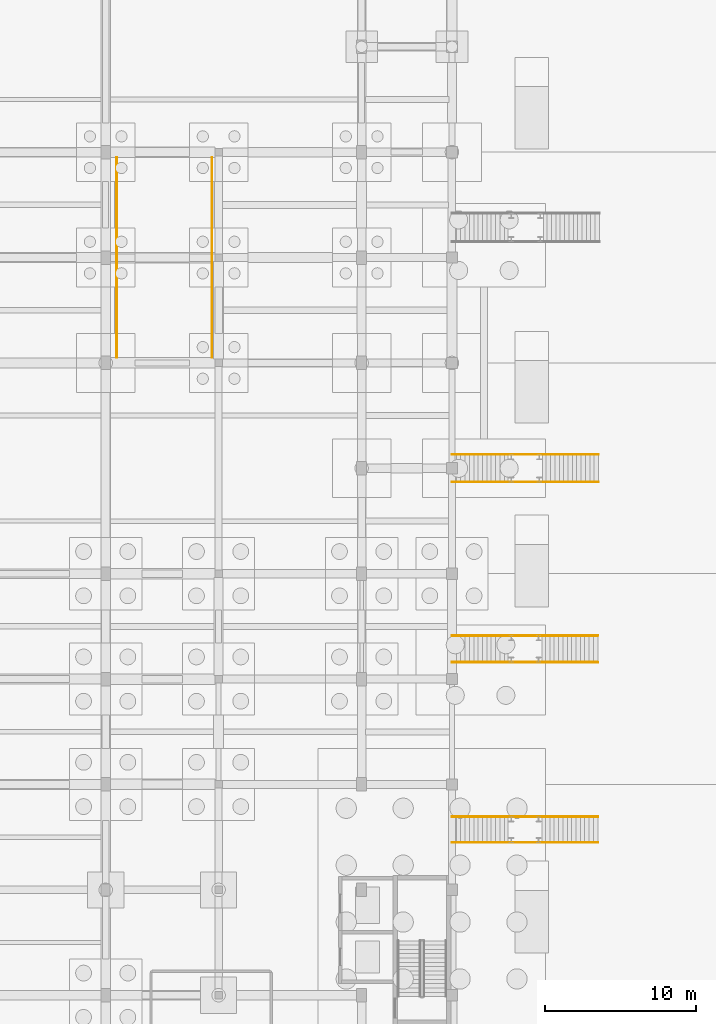
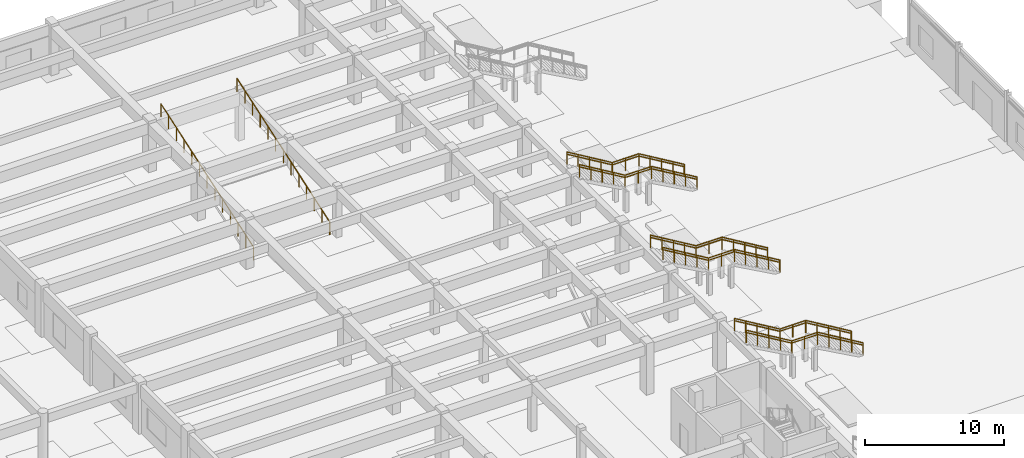
# One storey, part 82 of 84: 14 railings.
"""IFC4 building model written with IfcOpenShell, lengths in metres."""

from ifc_helpers import new_model, si_unit, direction, frame, origin, origin_2d, place, context, subcontext, project, spatial, circle, extrude, material, type_object, element, save


model = new_model("IFC4")

# Units and contexts
model_context = context("Model", 3, precision=1e-05, world=origin(), true_north=direction((0.0, 1.0)))
body_context = subcontext(model_context, "Body", "Model", "MODEL_VIEW")
ifc_project = project(units=[si_unit("LENGTHUNIT", "METRE"), si_unit("AREAUNIT", "SQUARE_METRE"), si_unit("VOLUMEUNIT", "CUBIC_METRE"), si_unit("PLANEANGLEUNIT", "RADIAN"), si_unit("MASSUNIT", "GRAM", prefix="KILO")], contexts=[model_context])

# Site, building, storey
site_placement = place(None, origin())
site = spatial("IfcSite", under=ifc_project, at=site_placement, CompositionType="ELEMENT")
building_placement = place(site_placement, origin())
building = spatial("IfcBuilding", under=site, at=building_placement, Name="Larkveld Mobility Hub", CompositionType="ELEMENT")
storey_placement = place(building_placement, origin())
storey = spatial("IfcBuildingStorey", under=building, at=storey_placement, Name="L00", CompositionType="ELEMENT", Elevation=0.0)

# Railings
ifc_material_1 = material(Name="Galvanized Steel S355JR balustrade", Category="steel")
railing_type_1 = type_object("IfcRailingType", Name="RL-GRD-1100", PredefinedType="GUARDRAIL", material=ifc_material_1)
railing_1_placement = place(storey_placement, frame((161.68994140625, 67.85498046875, 0.0)))
element("IfcRailing", 1, at=railing_1_placement, inside=storey, type_object=railing_type_1, Name="Central Bus Hall Straight Stair FS3 Guard L", PredefinedType="GUARDRAIL", context=body_context, shape_type="SweptSolid", body=[
    extrude(circle(Radius=0.02392578125, at=origin_2d()), frame((0.0, 0.0, 1.076171875), z_axis=(-0.858697585051, 0.0, 0.512482641098), x_axis=(0.0, -1.0, 0.0)), (0.0, 0.0, 1.0), 4.390380859375),
    extrude(circle(Radius=0.02392578125, at=origin_2d()), frame((-3.77001953125, 0.0, 3.326171875), z_axis=(-1.0, 0.0, 0.0), x_axis=(0.0, -1.0, 0.0)), (0.0, 0.0, 1.0), 2.14990234375),
    extrude(circle(Radius=0.02392578125, at=origin_2d()), frame((-5.919921875, 0.0, 3.326171875), z_axis=(-0.858697585051, 0.0, 0.512482641098), x_axis=(0.0, -1.0, 0.0)), (0.0, 0.0, 1.0), 4.390380859375),
    extrude(circle(Radius=0.02099609375, at=origin_2d()), origin(), (0.0, 0.0, 1.0), 1.052001953125),
    extrude(circle(Radius=0.02099609375, at=origin_2d()), frame((-0.9423828125, 0.0, 0.5625)), (0.0, 0.0, 1.0), 1.052001953125),
    extrude(circle(Radius=0.02099609375, at=origin_2d()), frame((-1.885009765625, 0.0, 1.125)), (0.0, 0.0, 1.0), 1.052001953125),
    extrude(circle(Radius=0.02099609375, at=origin_2d()), frame((-2.82763671875, 0.0, 1.6875)), (0.0, 0.0, 1.0), 1.052001953125),
    extrude(circle(Radius=0.02099609375, at=origin_2d()), frame((-3.77001953125, 0.0, 2.25)), (0.0, 0.0, 1.0), 1.052001953125),
    extrude(circle(Radius=0.02099609375, at=origin_2d()), frame((-4.844970703125, 0.0, 2.25)), (0.0, 0.0, 1.0), 1.052001953125),
    extrude(circle(Radius=0.02099609375, at=origin_2d()), frame((-5.919921875, 0.0, 2.25)), (0.0, 0.0, 1.0), 1.052001953125),
    extrude(circle(Radius=0.02099609375, at=origin_2d()), frame((-6.8623046875, 0.0, 2.8125)), (0.0, 0.0, 1.0), 1.052001953125),
    extrude(circle(Radius=0.02099609375, at=origin_2d()), frame((-7.804931640625, 0.0, 3.375)), (0.0, 0.0, 1.0), 1.052001953125),
    extrude(circle(Radius=0.02099609375, at=origin_2d()), frame((-8.74755859375, 0.0, 3.9375)), (0.0, 0.0, 1.0), 1.052001953125),
    extrude(circle(Radius=0.02099609375, at=origin_2d()), frame((-9.68994140625, 0.0, 4.5)), (0.0, 0.0, 1.0), 1.052001953125),
])
railing_2_placement = place(storey_placement, frame((161.68994140625, 66.14501953125, 0.0)))
element("IfcRailing", 2, at=railing_2_placement, inside=storey, type_object=railing_type_1, Name="Central Bus Hall Straight Stair FS3 Guard R", PredefinedType="GUARDRAIL", context=body_context, shape_type="SweptSolid", body=[
    extrude(circle(Radius=0.02392578125, at=origin_2d()), frame((0.0, 0.0, 1.076171875), z_axis=(-0.858697585051, 0.0, 0.512482641098), x_axis=(0.0, -1.0, 0.0)), (0.0, 0.0, 1.0), 4.390380859375),
    extrude(circle(Radius=0.02392578125, at=origin_2d()), frame((-3.77001953125, 0.0, 3.326171875), z_axis=(-1.0, 0.0, 0.0), x_axis=(0.0, -1.0, 0.0)), (0.0, 0.0, 1.0), 2.14990234375),
    extrude(circle(Radius=0.02392578125, at=origin_2d()), frame((-5.919921875, 0.0, 3.326171875), z_axis=(-0.858697585051, 0.0, 0.512482641098), x_axis=(0.0, -1.0, 0.0)), (0.0, 0.0, 1.0), 4.390380859375),
    extrude(circle(Radius=0.02099609375, at=origin_2d()), origin(), (0.0, 0.0, 1.0), 1.052001953125),
    extrude(circle(Radius=0.02099609375, at=origin_2d()), frame((-0.9423828125, 0.0, 0.5625)), (0.0, 0.0, 1.0), 1.052001953125),
    extrude(circle(Radius=0.02099609375, at=origin_2d()), frame((-1.885009765625, 0.0, 1.125)), (0.0, 0.0, 1.0), 1.052001953125),
    extrude(circle(Radius=0.02099609375, at=origin_2d()), frame((-2.82763671875, 0.0, 1.6875)), (0.0, 0.0, 1.0), 1.052001953125),
    extrude(circle(Radius=0.02099609375, at=origin_2d()), frame((-3.77001953125, 0.0, 2.25)), (0.0, 0.0, 1.0), 1.052001953125),
    extrude(circle(Radius=0.02099609375, at=origin_2d()), frame((-4.844970703125, 0.0, 2.25)), (0.0, 0.0, 1.0), 1.052001953125),
    extrude(circle(Radius=0.02099609375, at=origin_2d()), frame((-5.919921875, 0.0, 2.25)), (0.0, 0.0, 1.0), 1.052001953125),
    extrude(circle(Radius=0.02099609375, at=origin_2d()), frame((-6.8623046875, 0.0, 2.8125)), (0.0, 0.0, 1.0), 1.052001953125),
    extrude(circle(Radius=0.02099609375, at=origin_2d()), frame((-7.804931640625, 0.0, 3.375)), (0.0, 0.0, 1.0), 1.052001953125),
    extrude(circle(Radius=0.02099609375, at=origin_2d()), frame((-8.74755859375, 0.0, 3.9375)), (0.0, 0.0, 1.0), 1.052001953125),
    extrude(circle(Radius=0.02099609375, at=origin_2d()), frame((-9.68994140625, 0.0, 4.5)), (0.0, 0.0, 1.0), 1.052001953125),
])
railing_3_placement = place(storey_placement, frame((161.68994140625, 79.885009765625, 0.0)))
element("IfcRailing", 3, at=railing_3_placement, inside=storey, type_object=railing_type_1, Name="Intermodal Transfer Straight Stair FS4 Guard L", PredefinedType="GUARDRAIL", context=body_context, shape_type="SweptSolid", body=[
    extrude(circle(Radius=0.02392578125, at=origin_2d()), frame((0.0, 0.0, 1.076171875), z_axis=(-0.858697585051, 0.0, 0.512482641098), x_axis=(0.0, -1.0, 0.0)), (0.0, 0.0, 1.0), 4.390380859375),
    extrude(circle(Radius=0.02392578125, at=origin_2d()), frame((-3.77001953125, 0.0, 3.326171875), z_axis=(-1.0, 0.0, 0.0), x_axis=(0.0, -1.0, 0.0)), (0.0, 0.0, 1.0), 2.14990234375),
    extrude(circle(Radius=0.02392578125, at=origin_2d()), frame((-5.919921875, 0.0, 3.326171875), z_axis=(-0.858697585051, 0.0, 0.512482641098), x_axis=(0.0, -1.0, 0.0)), (0.0, 0.0, 1.0), 4.390380859375),
    extrude(circle(Radius=0.02099609375, at=origin_2d()), origin(), (0.0, 0.0, 1.0), 1.052001953125),
    extrude(circle(Radius=0.02099609375, at=origin_2d()), frame((-0.9423828125, 0.0, 0.5625)), (0.0, 0.0, 1.0), 1.052001953125),
    extrude(circle(Radius=0.02099609375, at=origin_2d()), frame((-1.885009765625, 0.0, 1.125)), (0.0, 0.0, 1.0), 1.052001953125),
    extrude(circle(Radius=0.02099609375, at=origin_2d()), frame((-2.82763671875, 0.0, 1.6875)), (0.0, 0.0, 1.0), 1.052001953125),
    extrude(circle(Radius=0.02099609375, at=origin_2d()), frame((-3.77001953125, 0.0, 2.25)), (0.0, 0.0, 1.0), 1.052001953125),
    extrude(circle(Radius=0.02099609375, at=origin_2d()), frame((-4.844970703125, 0.0, 2.25)), (0.0, 0.0, 1.0), 1.052001953125),
    extrude(circle(Radius=0.02099609375, at=origin_2d()), frame((-5.919921875, 0.0, 2.25)), (0.0, 0.0, 1.0), 1.052001953125),
    extrude(circle(Radius=0.02099609375, at=origin_2d()), frame((-6.8623046875, 0.0, 2.8125)), (0.0, 0.0, 1.0), 1.052001953125),
    extrude(circle(Radius=0.02099609375, at=origin_2d()), frame((-7.804931640625, 0.0, 3.375)), (0.0, 0.0, 1.0), 1.052001953125),
    extrude(circle(Radius=0.02099609375, at=origin_2d()), frame((-8.74755859375, 0.0, 3.9375)), (0.0, 0.0, 1.0), 1.052001953125),
    extrude(circle(Radius=0.02099609375, at=origin_2d()), frame((-9.68994140625, 0.0, 4.5)), (0.0, 0.0, 1.0), 1.052001953125),
])
railing_4_placement = place(storey_placement, frame((161.68994140625, 78.114990234375, 0.0)))
element("IfcRailing", 4, at=railing_4_placement, inside=storey, type_object=railing_type_1, Name="Intermodal Transfer Straight Stair FS4 Guard R", PredefinedType="GUARDRAIL", context=body_context, shape_type="SweptSolid", body=[
    extrude(circle(Radius=0.02392578125, at=origin_2d()), frame((0.0, 0.0, 1.076171875), z_axis=(-0.858697585051, 0.0, 0.512482641098), x_axis=(0.0, -1.0, 0.0)), (0.0, 0.0, 1.0), 4.390380859375),
    extrude(circle(Radius=0.02392578125, at=origin_2d()), frame((-3.77001953125, 0.0, 3.326171875), z_axis=(-1.0, 0.0, 0.0), x_axis=(0.0, -1.0, 0.0)), (0.0, 0.0, 1.0), 2.14990234375),
    extrude(circle(Radius=0.02392578125, at=origin_2d()), frame((-5.919921875, 0.0, 3.326171875), z_axis=(-0.858697585051, 0.0, 0.512482641098), x_axis=(0.0, -1.0, 0.0)), (0.0, 0.0, 1.0), 4.390380859375),
    extrude(circle(Radius=0.02099609375, at=origin_2d()), origin(), (0.0, 0.0, 1.0), 1.052001953125),
    extrude(circle(Radius=0.02099609375, at=origin_2d()), frame((-0.9423828125, 0.0, 0.5625)), (0.0, 0.0, 1.0), 1.052001953125),
    extrude(circle(Radius=0.02099609375, at=origin_2d()), frame((-1.885009765625, 0.0, 1.125)), (0.0, 0.0, 1.0), 1.052001953125),
    extrude(circle(Radius=0.02099609375, at=origin_2d()), frame((-2.82763671875, 0.0, 1.6875)), (0.0, 0.0, 1.0), 1.052001953125),
    extrude(circle(Radius=0.02099609375, at=origin_2d()), frame((-3.77001953125, 0.0, 2.25)), (0.0, 0.0, 1.0), 1.052001953125),
    extrude(circle(Radius=0.02099609375, at=origin_2d()), frame((-4.844970703125, 0.0, 2.25)), (0.0, 0.0, 1.0), 1.052001953125),
    extrude(circle(Radius=0.02099609375, at=origin_2d()), frame((-5.919921875, 0.0, 2.25)), (0.0, 0.0, 1.0), 1.052001953125),
    extrude(circle(Radius=0.02099609375, at=origin_2d()), frame((-6.8623046875, 0.0, 2.8125)), (0.0, 0.0, 1.0), 1.052001953125),
    extrude(circle(Radius=0.02099609375, at=origin_2d()), frame((-7.804931640625, 0.0, 3.375)), (0.0, 0.0, 1.0), 1.052001953125),
    extrude(circle(Radius=0.02099609375, at=origin_2d()), frame((-8.74755859375, 0.0, 3.9375)), (0.0, 0.0, 1.0), 1.052001953125),
    extrude(circle(Radius=0.02099609375, at=origin_2d()), frame((-9.68994140625, 0.0, 4.5)), (0.0, 0.0, 1.0), 1.052001953125),
])
railing_5_placement = place(storey_placement, frame((161.739990234375, 91.9150390625, 0.0)))
element("IfcRailing", 5, at=railing_5_placement, inside=storey, type_object=railing_type_1, Name="Taxi Concourse South Straight Stair FS5 Guard L", PredefinedType="GUARDRAIL", context=body_context, shape_type="SweptSolid", body=[
    extrude(circle(Radius=0.02392578125, at=origin_2d()), frame((0.0, 0.0, 1.076171875), z_axis=(-0.858697585051, 0.0, 0.512482641098), x_axis=(0.0, -1.0, 0.0)), (0.0, 0.0, 1.0), 4.390380859375),
    extrude(circle(Radius=0.02392578125, at=origin_2d()), frame((-3.77001953125, 0.0, 3.326171875), z_axis=(-1.0, 0.0, 0.0), x_axis=(0.0, -1.0, 0.0)), (0.0, 0.0, 1.0), 2.199951171875),
    extrude(circle(Radius=0.02392578125, at=origin_2d()), frame((-5.969970703125, 0.0, 3.326171875), z_axis=(-0.858697585051, 0.0, 0.512482641098), x_axis=(0.0, -1.0, 0.0)), (0.0, 0.0, 1.0), 4.390380859375),
    extrude(circle(Radius=0.02099609375, at=origin_2d()), origin(), (0.0, 0.0, 1.0), 1.052001953125),
    extrude(circle(Radius=0.02099609375, at=origin_2d()), frame((-0.9423828125, 0.0, 0.5625)), (0.0, 0.0, 1.0), 1.052001953125),
    extrude(circle(Radius=0.02099609375, at=origin_2d()), frame((-1.885009765625, 0.0, 1.125)), (0.0, 0.0, 1.0), 1.052001953125),
    extrude(circle(Radius=0.02099609375, at=origin_2d()), frame((-2.82763671875, 0.0, 1.6875)), (0.0, 0.0, 1.0), 1.052001953125),
    extrude(circle(Radius=0.02099609375, at=origin_2d()), frame((-3.77001953125, 0.0, 2.25)), (0.0, 0.0, 1.0), 1.052001953125),
    extrude(circle(Radius=0.02099609375, at=origin_2d()), frame((-4.8701171875, 0.0, 2.25)), (0.0, 0.0, 1.0), 1.052001953125),
    extrude(circle(Radius=0.02099609375, at=origin_2d()), frame((-5.969970703125, 0.0, 2.25)), (0.0, 0.0, 1.0), 1.052001953125),
    extrude(circle(Radius=0.02099609375, at=origin_2d()), frame((-6.91259765625, 0.0, 2.8125)), (0.0, 0.0, 1.0), 1.052001953125),
    extrude(circle(Radius=0.02099609375, at=origin_2d()), frame((-7.85498046875, 0.0, 3.375)), (0.0, 0.0, 1.0), 1.052001953125),
    extrude(circle(Radius=0.02099609375, at=origin_2d()), frame((-8.79736328125, 0.0, 3.9375)), (0.0, 0.0, 1.0), 1.052001953125),
    extrude(circle(Radius=0.02099609375, at=origin_2d()), frame((-9.739990234375, 0.0, 4.5)), (0.0, 0.0, 1.0), 1.052001953125),
])
railing_6_placement = place(storey_placement, frame((161.739990234375, 90.0849609375, 0.0)))
element("IfcRailing", 6, at=railing_6_placement, inside=storey, type_object=railing_type_1, Name="Taxi Concourse South Straight Stair FS5 Guard R", PredefinedType="GUARDRAIL", context=body_context, shape_type="SweptSolid", body=[
    extrude(circle(Radius=0.02392578125, at=origin_2d()), frame((0.0, 0.0, 1.076171875), z_axis=(-0.858697585051, 0.0, 0.512482641098), x_axis=(0.0, -1.0, 0.0)), (0.0, 0.0, 1.0), 4.390380859375),
    extrude(circle(Radius=0.02392578125, at=origin_2d()), frame((-3.77001953125, 0.0, 3.326171875), z_axis=(-1.0, 0.0, 0.0), x_axis=(0.0, -1.0, 0.0)), (0.0, 0.0, 1.0), 2.199951171875),
    extrude(circle(Radius=0.02392578125, at=origin_2d()), frame((-5.969970703125, 0.0, 3.326171875), z_axis=(-0.858697585051, 0.0, 0.512482641098), x_axis=(0.0, -1.0, 0.0)), (0.0, 0.0, 1.0), 4.390380859375),
    extrude(circle(Radius=0.02099609375, at=origin_2d()), origin(), (0.0, 0.0, 1.0), 1.052001953125),
    extrude(circle(Radius=0.02099609375, at=origin_2d()), frame((-0.9423828125, 0.0, 0.5625)), (0.0, 0.0, 1.0), 1.052001953125),
    extrude(circle(Radius=0.02099609375, at=origin_2d()), frame((-1.885009765625, 0.0, 1.125)), (0.0, 0.0, 1.0), 1.052001953125),
    extrude(circle(Radius=0.02099609375, at=origin_2d()), frame((-2.82763671875, 0.0, 1.6875)), (0.0, 0.0, 1.0), 1.052001953125),
    extrude(circle(Radius=0.02099609375, at=origin_2d()), frame((-3.77001953125, 0.0, 2.25)), (0.0, 0.0, 1.0), 1.052001953125),
    extrude(circle(Radius=0.02099609375, at=origin_2d()), frame((-4.8701171875, 0.0, 2.25)), (0.0, 0.0, 1.0), 1.052001953125),
    extrude(circle(Radius=0.02099609375, at=origin_2d()), frame((-5.969970703125, 0.0, 2.25)), (0.0, 0.0, 1.0), 1.052001953125),
    extrude(circle(Radius=0.02099609375, at=origin_2d()), frame((-6.91259765625, 0.0, 2.8125)), (0.0, 0.0, 1.0), 1.052001953125),
    extrude(circle(Radius=0.02099609375, at=origin_2d()), frame((-7.85498046875, 0.0, 3.375)), (0.0, 0.0, 1.0), 1.052001953125),
    extrude(circle(Radius=0.02099609375, at=origin_2d()), frame((-8.79736328125, 0.0, 3.9375)), (0.0, 0.0, 1.0), 1.052001953125),
    extrude(circle(Radius=0.02099609375, at=origin_2d()), frame((-9.739990234375, 0.0, 4.5)), (0.0, 0.0, 1.0), 1.052001953125),
])
ifc_material_2 = material(Name="Galvanized Steel S355JR vehicle-deck guard", Category="steel")
railing_type_2 = type_object("IfcRailingType", Name="RL-GRD-RMP", PredefinedType="GUARDRAIL", material=ifc_material_2)
railing_7_placement = place(storey_placement, frame((129.739990234375, 98.35009765625, 0.0)))
element("IfcRailing", 7, at=railing_7_placement, inside=storey, type_object=railing_type_2, Name="EV Ramp West Sloped Guard L00-027", PredefinedType="GUARDRAIL", context=body_context, shape_type="SweptSolid", body=[
    extrude(circle(Radius=0.02392578125, at=origin_2d()), frame((0.0, 0.0, 1.1259765625), z_axis=(0.0, 0.947247809695, 0.320502085841), x_axis=(-1.0, 0.0, 0.0)), (0.0, 0.0, 1.0), 14.04052734375),
    extrude(circle(Radius=0.02099609375, at=origin_2d()), origin(), (0.0, 0.0, 1.0), 1.101806640625),
    extrude(circle(Radius=0.02099609375, at=origin_2d()), frame((0.0, 1.1083984375, 0.375)), (0.0, 0.0, 1.0), 1.101806640625),
    extrude(circle(Radius=0.02099609375, at=origin_2d()), frame((0.0, 2.216552734375, 0.75)), (0.0, 0.0, 1.0), 1.101806640625),
    extrude(circle(Radius=0.02099609375, at=origin_2d()), frame((0.0, 3.324951171875, 1.125)), (0.0, 0.0, 1.0), 1.101806640625),
    extrude(circle(Radius=0.02099609375, at=origin_2d()), frame((0.0, 4.433349609375, 1.5)), (0.0, 0.0, 1.0), 1.101806640625),
    extrude(circle(Radius=0.02099609375, at=origin_2d()), frame((0.0, 5.54150390625, 1.875)), (0.0, 0.0, 1.0), 1.101806640625),
    extrude(circle(Radius=0.02099609375, at=origin_2d()), frame((0.0, 6.64990234375, 2.25)), (0.0, 0.0, 1.0), 1.101806640625),
    extrude(circle(Radius=0.02099609375, at=origin_2d()), frame((0.0, 7.75830078125, 2.625)), (0.0, 0.0, 1.0), 1.101806640625),
    extrude(circle(Radius=0.02099609375, at=origin_2d()), frame((0.0, 8.866455078125, 3.0)), (0.0, 0.0, 1.0), 1.101806640625),
    extrude(circle(Radius=0.02099609375, at=origin_2d()), frame((0.0, 9.974853515625, 3.375)), (0.0, 0.0, 1.0), 1.101806640625),
    extrude(circle(Radius=0.02099609375, at=origin_2d()), frame((0.0, 11.083251953125, 3.75)), (0.0, 0.0, 1.0), 1.101806640625),
    extrude(circle(Radius=0.02099609375, at=origin_2d()), frame((0.0, 12.19140625, 4.125)), (0.0, 0.0, 1.0), 1.101806640625),
    extrude(circle(Radius=0.02099609375, at=origin_2d()), frame((0.0, 13.2998046875, 4.5)), (0.0, 0.0, 1.0), 1.101806640625),
])
railing_8_placement = place(storey_placement, frame((136.06005859375, 98.35009765625, 0.0)))
element("IfcRailing", 8, at=railing_8_placement, inside=storey, type_object=railing_type_2, Name="EV Ramp East Sloped Guard L00-028", PredefinedType="GUARDRAIL", context=body_context, shape_type="SweptSolid", body=[
    extrude(circle(Radius=0.02392578125, at=origin_2d()), frame((0.0, 0.0, 1.1259765625), z_axis=(0.0, 0.947247809695, 0.320502085841), x_axis=(-1.0, 0.0, 0.0)), (0.0, 0.0, 1.0), 14.04052734375),
    extrude(circle(Radius=0.02099609375, at=origin_2d()), origin(), (0.0, 0.0, 1.0), 1.101806640625),
    extrude(circle(Radius=0.02099609375, at=origin_2d()), frame((0.0, 1.1083984375, 0.375)), (0.0, 0.0, 1.0), 1.101806640625),
    extrude(circle(Radius=0.02099609375, at=origin_2d()), frame((0.0, 2.216552734375, 0.75)), (0.0, 0.0, 1.0), 1.101806640625),
    extrude(circle(Radius=0.02099609375, at=origin_2d()), frame((0.0, 3.324951171875, 1.125)), (0.0, 0.0, 1.0), 1.101806640625),
    extrude(circle(Radius=0.02099609375, at=origin_2d()), frame((0.0, 4.433349609375, 1.5)), (0.0, 0.0, 1.0), 1.101806640625),
    extrude(circle(Radius=0.02099609375, at=origin_2d()), frame((0.0, 5.54150390625, 1.875)), (0.0, 0.0, 1.0), 1.101806640625),
    extrude(circle(Radius=0.02099609375, at=origin_2d()), frame((0.0, 6.64990234375, 2.25)), (0.0, 0.0, 1.0), 1.101806640625),
    extrude(circle(Radius=0.02099609375, at=origin_2d()), frame((0.0, 7.75830078125, 2.625)), (0.0, 0.0, 1.0), 1.101806640625),
    extrude(circle(Radius=0.02099609375, at=origin_2d()), frame((0.0, 8.866455078125, 3.0)), (0.0, 0.0, 1.0), 1.101806640625),
    extrude(circle(Radius=0.02099609375, at=origin_2d()), frame((0.0, 9.974853515625, 3.375)), (0.0, 0.0, 1.0), 1.101806640625),
    extrude(circle(Radius=0.02099609375, at=origin_2d()), frame((0.0, 11.083251953125, 3.75)), (0.0, 0.0, 1.0), 1.101806640625),
    extrude(circle(Radius=0.02099609375, at=origin_2d()), frame((0.0, 12.19140625, 4.125)), (0.0, 0.0, 1.0), 1.101806640625),
    extrude(circle(Radius=0.02099609375, at=origin_2d()), frame((0.0, 13.2998046875, 4.5)), (0.0, 0.0, 1.0), 1.101806640625),
])
ifc_material_3 = material(Name="Brushed Steel S355JR tubular handrail", Category="steel")
railing_type_3 = type_object("IfcRailingType", Name="RL-HND-0900", PredefinedType="HANDRAIL", material=ifc_material_3)
railing_9_placement = place(storey_placement, frame((161.68994140625, 67.85498046875, 0.0)))
element("IfcRailing", 9, at=railing_9_placement, inside=storey, type_object=railing_type_3, Name="Central Bus Hall Straight Stair FS3 Handrail L", PredefinedType="HANDRAIL", context=body_context, shape_type="SweptSolid", body=[
    extrude(circle(Radius=0.02392578125, at=origin_2d()), frame((0.0, 0.0, 0.8759765625), z_axis=(-0.858697585051, 0.0, 0.512482641098), x_axis=(0.0, -1.0, 0.0)), (0.0, 0.0, 1.0), 4.390380859375),
    extrude(circle(Radius=0.02392578125, at=origin_2d()), frame((-3.77001953125, 0.0, 3.1259765625), z_axis=(-1.0, 0.0, 0.0), x_axis=(0.0, -1.0, 0.0)), (0.0, 0.0, 1.0), 2.14990234375),
    extrude(circle(Radius=0.02392578125, at=origin_2d()), frame((-5.919921875, 0.0, 3.1259765625), z_axis=(-0.858697585051, 0.0, 0.512482641098), x_axis=(0.0, -1.0, 0.0)), (0.0, 0.0, 1.0), 4.390380859375),
    extrude(circle(Radius=0.02099609375, at=origin_2d()), origin(), (0.0, 0.0, 1.0), 0.851806640625),
    extrude(circle(Radius=0.02099609375, at=origin_2d()), frame((-0.9423828125, 0.0, 0.5625)), (0.0, 0.0, 1.0), 0.851806640625),
    extrude(circle(Radius=0.02099609375, at=origin_2d()), frame((-1.885009765625, 0.0, 1.125)), (0.0, 0.0, 1.0), 0.851806640625),
    extrude(circle(Radius=0.02099609375, at=origin_2d()), frame((-2.82763671875, 0.0, 1.6875)), (0.0, 0.0, 1.0), 0.851806640625),
    extrude(circle(Radius=0.02099609375, at=origin_2d()), frame((-3.77001953125, 0.0, 2.25)), (0.0, 0.0, 1.0), 0.851806640625),
    extrude(circle(Radius=0.02099609375, at=origin_2d()), frame((-4.844970703125, 0.0, 2.25)), (0.0, 0.0, 1.0), 0.851806640625),
    extrude(circle(Radius=0.02099609375, at=origin_2d()), frame((-5.919921875, 0.0, 2.25)), (0.0, 0.0, 1.0), 0.851806640625),
    extrude(circle(Radius=0.02099609375, at=origin_2d()), frame((-6.8623046875, 0.0, 2.8125)), (0.0, 0.0, 1.0), 0.851806640625),
    extrude(circle(Radius=0.02099609375, at=origin_2d()), frame((-7.804931640625, 0.0, 3.375)), (0.0, 0.0, 1.0), 0.851806640625),
    extrude(circle(Radius=0.02099609375, at=origin_2d()), frame((-8.74755859375, 0.0, 3.9375)), (0.0, 0.0, 1.0), 0.851806640625),
    extrude(circle(Radius=0.02099609375, at=origin_2d()), frame((-9.68994140625, 0.0, 4.5)), (0.0, 0.0, 1.0), 0.851806640625),
])
railing_10_placement = place(storey_placement, frame((161.68994140625, 66.14501953125, 0.0)))
element("IfcRailing", 10, at=railing_10_placement, inside=storey, type_object=railing_type_3, Name="Central Bus Hall Straight Stair FS3 Handrail R", PredefinedType="HANDRAIL", context=body_context, shape_type="SweptSolid", body=[
    extrude(circle(Radius=0.02392578125, at=origin_2d()), frame((0.0, 0.0, 0.8759765625), z_axis=(-0.858697585051, 0.0, 0.512482641098), x_axis=(0.0, -1.0, 0.0)), (0.0, 0.0, 1.0), 4.390380859375),
    extrude(circle(Radius=0.02392578125, at=origin_2d()), frame((-3.77001953125, 0.0, 3.1259765625), z_axis=(-1.0, 0.0, 0.0), x_axis=(0.0, -1.0, 0.0)), (0.0, 0.0, 1.0), 2.14990234375),
    extrude(circle(Radius=0.02392578125, at=origin_2d()), frame((-5.919921875, 0.0, 3.1259765625), z_axis=(-0.858697585051, 0.0, 0.512482641098), x_axis=(0.0, -1.0, 0.0)), (0.0, 0.0, 1.0), 4.390380859375),
    extrude(circle(Radius=0.02099609375, at=origin_2d()), origin(), (0.0, 0.0, 1.0), 0.851806640625),
    extrude(circle(Radius=0.02099609375, at=origin_2d()), frame((-0.9423828125, 0.0, 0.5625)), (0.0, 0.0, 1.0), 0.851806640625),
    extrude(circle(Radius=0.02099609375, at=origin_2d()), frame((-1.885009765625, 0.0, 1.125)), (0.0, 0.0, 1.0), 0.851806640625),
    extrude(circle(Radius=0.02099609375, at=origin_2d()), frame((-2.82763671875, 0.0, 1.6875)), (0.0, 0.0, 1.0), 0.851806640625),
    extrude(circle(Radius=0.02099609375, at=origin_2d()), frame((-3.77001953125, 0.0, 2.25)), (0.0, 0.0, 1.0), 0.851806640625),
    extrude(circle(Radius=0.02099609375, at=origin_2d()), frame((-4.844970703125, 0.0, 2.25)), (0.0, 0.0, 1.0), 0.851806640625),
    extrude(circle(Radius=0.02099609375, at=origin_2d()), frame((-5.919921875, 0.0, 2.25)), (0.0, 0.0, 1.0), 0.851806640625),
    extrude(circle(Radius=0.02099609375, at=origin_2d()), frame((-6.8623046875, 0.0, 2.8125)), (0.0, 0.0, 1.0), 0.851806640625),
    extrude(circle(Radius=0.02099609375, at=origin_2d()), frame((-7.804931640625, 0.0, 3.375)), (0.0, 0.0, 1.0), 0.851806640625),
    extrude(circle(Radius=0.02099609375, at=origin_2d()), frame((-8.74755859375, 0.0, 3.9375)), (0.0, 0.0, 1.0), 0.851806640625),
    extrude(circle(Radius=0.02099609375, at=origin_2d()), frame((-9.68994140625, 0.0, 4.5)), (0.0, 0.0, 1.0), 0.851806640625),
])
railing_11_placement = place(storey_placement, frame((161.68994140625, 79.885009765625, 0.0)))
element("IfcRailing", 11, at=railing_11_placement, inside=storey, type_object=railing_type_3, Name="Intermodal Transfer Straight Stair FS4 Handrail L", PredefinedType="HANDRAIL", context=body_context, shape_type="SweptSolid", body=[
    extrude(circle(Radius=0.02392578125, at=origin_2d()), frame((0.0, 0.0, 0.8759765625), z_axis=(-0.858697585051, 0.0, 0.512482641098), x_axis=(0.0, -1.0, 0.0)), (0.0, 0.0, 1.0), 4.390380859375),
    extrude(circle(Radius=0.02392578125, at=origin_2d()), frame((-3.77001953125, 0.0, 3.1259765625), z_axis=(-1.0, 0.0, 0.0), x_axis=(0.0, -1.0, 0.0)), (0.0, 0.0, 1.0), 2.14990234375),
    extrude(circle(Radius=0.02392578125, at=origin_2d()), frame((-5.919921875, 0.0, 3.1259765625), z_axis=(-0.858697585051, 0.0, 0.512482641098), x_axis=(0.0, -1.0, 0.0)), (0.0, 0.0, 1.0), 4.390380859375),
    extrude(circle(Radius=0.02099609375, at=origin_2d()), origin(), (0.0, 0.0, 1.0), 0.851806640625),
    extrude(circle(Radius=0.02099609375, at=origin_2d()), frame((-0.9423828125, 0.0, 0.5625)), (0.0, 0.0, 1.0), 0.851806640625),
    extrude(circle(Radius=0.02099609375, at=origin_2d()), frame((-1.885009765625, 0.0, 1.125)), (0.0, 0.0, 1.0), 0.851806640625),
    extrude(circle(Radius=0.02099609375, at=origin_2d()), frame((-2.82763671875, 0.0, 1.6875)), (0.0, 0.0, 1.0), 0.851806640625),
    extrude(circle(Radius=0.02099609375, at=origin_2d()), frame((-3.77001953125, 0.0, 2.25)), (0.0, 0.0, 1.0), 0.851806640625),
    extrude(circle(Radius=0.02099609375, at=origin_2d()), frame((-4.844970703125, 0.0, 2.25)), (0.0, 0.0, 1.0), 0.851806640625),
    extrude(circle(Radius=0.02099609375, at=origin_2d()), frame((-5.919921875, 0.0, 2.25)), (0.0, 0.0, 1.0), 0.851806640625),
    extrude(circle(Radius=0.02099609375, at=origin_2d()), frame((-6.8623046875, 0.0, 2.8125)), (0.0, 0.0, 1.0), 0.851806640625),
    extrude(circle(Radius=0.02099609375, at=origin_2d()), frame((-7.804931640625, 0.0, 3.375)), (0.0, 0.0, 1.0), 0.851806640625),
    extrude(circle(Radius=0.02099609375, at=origin_2d()), frame((-8.74755859375, 0.0, 3.9375)), (0.0, 0.0, 1.0), 0.851806640625),
    extrude(circle(Radius=0.02099609375, at=origin_2d()), frame((-9.68994140625, 0.0, 4.5)), (0.0, 0.0, 1.0), 0.851806640625),
])
railing_12_placement = place(storey_placement, frame((161.68994140625, 78.114990234375, 0.0)))
element("IfcRailing", 12, at=railing_12_placement, inside=storey, type_object=railing_type_3, Name="Intermodal Transfer Straight Stair FS4 Handrail R", PredefinedType="HANDRAIL", context=body_context, shape_type="SweptSolid", body=[
    extrude(circle(Radius=0.02392578125, at=origin_2d()), frame((0.0, 0.0, 0.8759765625), z_axis=(-0.858697585051, 0.0, 0.512482641098), x_axis=(0.0, -1.0, 0.0)), (0.0, 0.0, 1.0), 4.390380859375),
    extrude(circle(Radius=0.02392578125, at=origin_2d()), frame((-3.77001953125, 0.0, 3.1259765625), z_axis=(-1.0, 0.0, 0.0), x_axis=(0.0, -1.0, 0.0)), (0.0, 0.0, 1.0), 2.14990234375),
    extrude(circle(Radius=0.02392578125, at=origin_2d()), frame((-5.919921875, 0.0, 3.1259765625), z_axis=(-0.858697585051, 0.0, 0.512482641098), x_axis=(0.0, -1.0, 0.0)), (0.0, 0.0, 1.0), 4.390380859375),
    extrude(circle(Radius=0.02099609375, at=origin_2d()), origin(), (0.0, 0.0, 1.0), 0.851806640625),
    extrude(circle(Radius=0.02099609375, at=origin_2d()), frame((-0.9423828125, 0.0, 0.5625)), (0.0, 0.0, 1.0), 0.851806640625),
    extrude(circle(Radius=0.02099609375, at=origin_2d()), frame((-1.885009765625, 0.0, 1.125)), (0.0, 0.0, 1.0), 0.851806640625),
    extrude(circle(Radius=0.02099609375, at=origin_2d()), frame((-2.82763671875, 0.0, 1.6875)), (0.0, 0.0, 1.0), 0.851806640625),
    extrude(circle(Radius=0.02099609375, at=origin_2d()), frame((-3.77001953125, 0.0, 2.25)), (0.0, 0.0, 1.0), 0.851806640625),
    extrude(circle(Radius=0.02099609375, at=origin_2d()), frame((-4.844970703125, 0.0, 2.25)), (0.0, 0.0, 1.0), 0.851806640625),
    extrude(circle(Radius=0.02099609375, at=origin_2d()), frame((-5.919921875, 0.0, 2.25)), (0.0, 0.0, 1.0), 0.851806640625),
    extrude(circle(Radius=0.02099609375, at=origin_2d()), frame((-6.8623046875, 0.0, 2.8125)), (0.0, 0.0, 1.0), 0.851806640625),
    extrude(circle(Radius=0.02099609375, at=origin_2d()), frame((-7.804931640625, 0.0, 3.375)), (0.0, 0.0, 1.0), 0.851806640625),
    extrude(circle(Radius=0.02099609375, at=origin_2d()), frame((-8.74755859375, 0.0, 3.9375)), (0.0, 0.0, 1.0), 0.851806640625),
    extrude(circle(Radius=0.02099609375, at=origin_2d()), frame((-9.68994140625, 0.0, 4.5)), (0.0, 0.0, 1.0), 0.851806640625),
])
railing_13_placement = place(storey_placement, frame((161.739990234375, 91.9150390625, 0.0)))
element("IfcRailing", 13, at=railing_13_placement, inside=storey, type_object=railing_type_3, Name="Taxi Concourse South Straight Stair FS5 Handrail L", PredefinedType="HANDRAIL", context=body_context, shape_type="SweptSolid", body=[
    extrude(circle(Radius=0.02392578125, at=origin_2d()), frame((0.0, 0.0, 0.8759765625), z_axis=(-0.858697585051, 0.0, 0.512482641098), x_axis=(0.0, -1.0, 0.0)), (0.0, 0.0, 1.0), 4.390380859375),
    extrude(circle(Radius=0.02392578125, at=origin_2d()), frame((-3.77001953125, 0.0, 3.1259765625), z_axis=(-1.0, 0.0, 0.0), x_axis=(0.0, -1.0, 0.0)), (0.0, 0.0, 1.0), 2.199951171875),
    extrude(circle(Radius=0.02392578125, at=origin_2d()), frame((-5.969970703125, 0.0, 3.1259765625), z_axis=(-0.858697585051, 0.0, 0.512482641098), x_axis=(0.0, -1.0, 0.0)), (0.0, 0.0, 1.0), 4.390380859375),
    extrude(circle(Radius=0.02099609375, at=origin_2d()), origin(), (0.0, 0.0, 1.0), 0.851806640625),
    extrude(circle(Radius=0.02099609375, at=origin_2d()), frame((-0.9423828125, 0.0, 0.5625)), (0.0, 0.0, 1.0), 0.851806640625),
    extrude(circle(Radius=0.02099609375, at=origin_2d()), frame((-1.885009765625, 0.0, 1.125)), (0.0, 0.0, 1.0), 0.851806640625),
    extrude(circle(Radius=0.02099609375, at=origin_2d()), frame((-2.82763671875, 0.0, 1.6875)), (0.0, 0.0, 1.0), 0.851806640625),
    extrude(circle(Radius=0.02099609375, at=origin_2d()), frame((-3.77001953125, 0.0, 2.25)), (0.0, 0.0, 1.0), 0.851806640625),
    extrude(circle(Radius=0.02099609375, at=origin_2d()), frame((-4.8701171875, 0.0, 2.25)), (0.0, 0.0, 1.0), 0.851806640625),
    extrude(circle(Radius=0.02099609375, at=origin_2d()), frame((-5.969970703125, 0.0, 2.25)), (0.0, 0.0, 1.0), 0.851806640625),
    extrude(circle(Radius=0.02099609375, at=origin_2d()), frame((-6.91259765625, 0.0, 2.8125)), (0.0, 0.0, 1.0), 0.851806640625),
    extrude(circle(Radius=0.02099609375, at=origin_2d()), frame((-7.85498046875, 0.0, 3.375)), (0.0, 0.0, 1.0), 0.851806640625),
    extrude(circle(Radius=0.02099609375, at=origin_2d()), frame((-8.79736328125, 0.0, 3.9375)), (0.0, 0.0, 1.0), 0.851806640625),
    extrude(circle(Radius=0.02099609375, at=origin_2d()), frame((-9.739990234375, 0.0, 4.5)), (0.0, 0.0, 1.0), 0.851806640625),
])
railing_14_placement = place(storey_placement, frame((161.739990234375, 90.0849609375, 0.0)))
element("IfcRailing", 14, at=railing_14_placement, inside=storey, type_object=railing_type_3, Name="Taxi Concourse South Straight Stair FS5 Handrail R", PredefinedType="HANDRAIL", context=body_context, shape_type="SweptSolid", body=[
    extrude(circle(Radius=0.02392578125, at=origin_2d()), frame((0.0, 0.0, 0.8759765625), z_axis=(-0.858697585051, 0.0, 0.512482641098), x_axis=(0.0, -1.0, 0.0)), (0.0, 0.0, 1.0), 4.390380859375),
    extrude(circle(Radius=0.02392578125, at=origin_2d()), frame((-3.77001953125, 0.0, 3.1259765625), z_axis=(-1.0, 0.0, 0.0), x_axis=(0.0, -1.0, 0.0)), (0.0, 0.0, 1.0), 2.199951171875),
    extrude(circle(Radius=0.02392578125, at=origin_2d()), frame((-5.969970703125, 0.0, 3.1259765625), z_axis=(-0.858697585051, 0.0, 0.512482641098), x_axis=(0.0, -1.0, 0.0)), (0.0, 0.0, 1.0), 4.390380859375),
    extrude(circle(Radius=0.02099609375, at=origin_2d()), origin(), (0.0, 0.0, 1.0), 0.851806640625),
    extrude(circle(Radius=0.02099609375, at=origin_2d()), frame((-0.9423828125, 0.0, 0.5625)), (0.0, 0.0, 1.0), 0.851806640625),
    extrude(circle(Radius=0.02099609375, at=origin_2d()), frame((-1.885009765625, 0.0, 1.125)), (0.0, 0.0, 1.0), 0.851806640625),
    extrude(circle(Radius=0.02099609375, at=origin_2d()), frame((-2.82763671875, 0.0, 1.6875)), (0.0, 0.0, 1.0), 0.851806640625),
    extrude(circle(Radius=0.02099609375, at=origin_2d()), frame((-3.77001953125, 0.0, 2.25)), (0.0, 0.0, 1.0), 0.851806640625),
    extrude(circle(Radius=0.02099609375, at=origin_2d()), frame((-4.8701171875, 0.0, 2.25)), (0.0, 0.0, 1.0), 0.851806640625),
    extrude(circle(Radius=0.02099609375, at=origin_2d()), frame((-5.969970703125, 0.0, 2.25)), (0.0, 0.0, 1.0), 0.851806640625),
    extrude(circle(Radius=0.02099609375, at=origin_2d()), frame((-6.91259765625, 0.0, 2.8125)), (0.0, 0.0, 1.0), 0.851806640625),
    extrude(circle(Radius=0.02099609375, at=origin_2d()), frame((-7.85498046875, 0.0, 3.375)), (0.0, 0.0, 1.0), 0.851806640625),
    extrude(circle(Radius=0.02099609375, at=origin_2d()), frame((-8.79736328125, 0.0, 3.9375)), (0.0, 0.0, 1.0), 0.851806640625),
    extrude(circle(Radius=0.02099609375, at=origin_2d()), frame((-9.739990234375, 0.0, 4.5)), (0.0, 0.0, 1.0), 0.851806640625),
])

save(model, "model.ifc")
